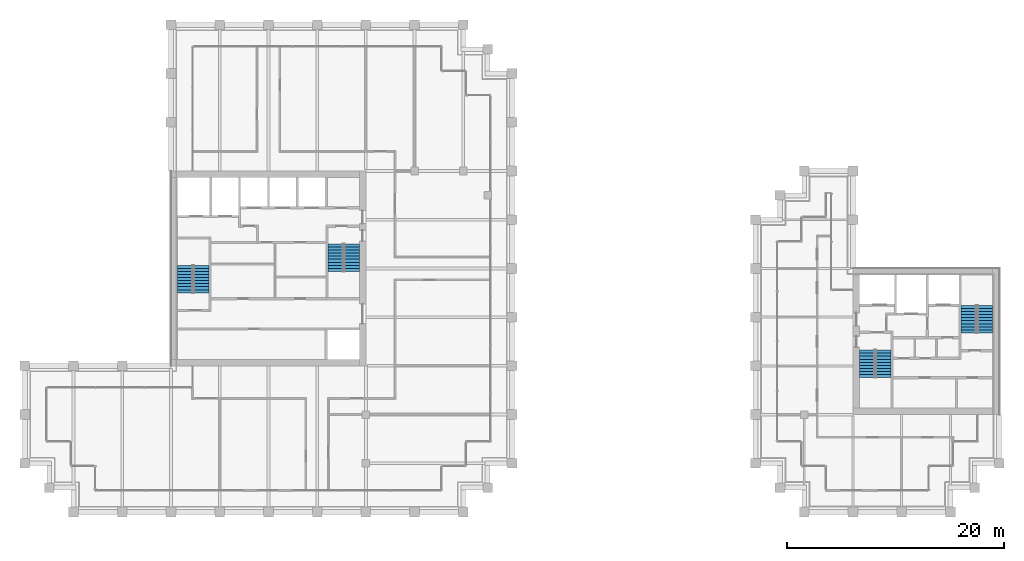
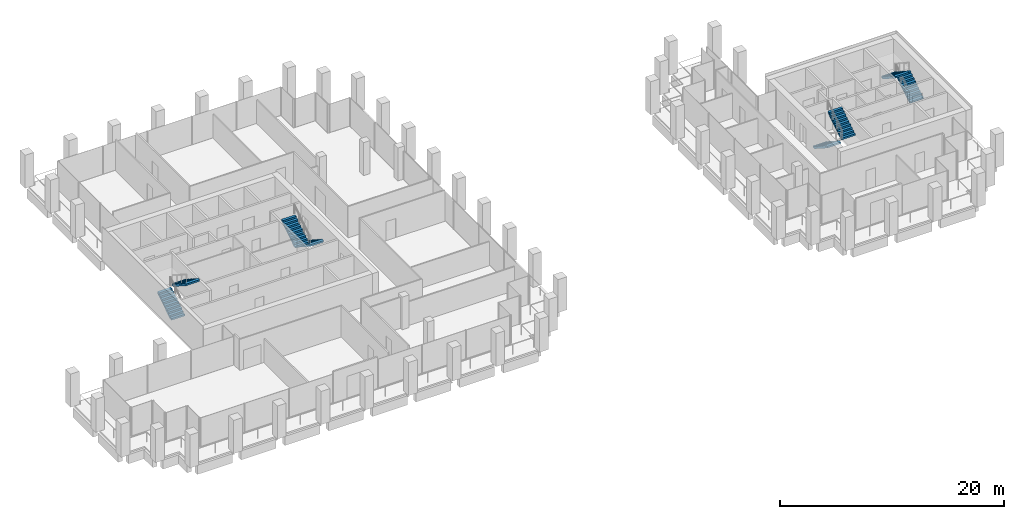
# One storey, part 39 of 40: 8 stair flights, 4 elements without a shape of their own.
"""IFC4 building model written with IfcOpenShell, lengths in metres."""

from ifc_helpers import new_model, si_unit, direction, frame, origin, place, context, subcontext, project, spatial, polyline, outline, extrude, material, type_object, element, aggregate, save


model = new_model("IFC4")

# Units and contexts
model_context = context("Model", 3, precision=1e-05, world=origin(), true_north=direction((0.0, 1.0)))
body_context = subcontext(model_context, "Body", "Model", "MODEL_VIEW")
ifc_project = project(units=[si_unit("LENGTHUNIT", "METRE"), si_unit("AREAUNIT", "SQUARE_METRE"), si_unit("VOLUMEUNIT", "CUBIC_METRE"), si_unit("PLANEANGLEUNIT", "RADIAN"), si_unit("MASSUNIT", "GRAM", prefix="KILO")], contexts=[model_context])

# Site, building, storey
site_placement = place(None, origin())
site = spatial("IfcSite", under=ifc_project, at=site_placement, CompositionType="ELEMENT")
building_placement = place(site_placement, origin())
building = spatial("IfcBuilding", under=site, at=building_placement, Name="Altepetl Exchange Towers", CompositionType="ELEMENT")
storey_placement = place(building_placement, frame((0.0, 0.0, 187.0)))
storey = spatial("IfcBuildingStorey", under=building, at=storey_placement, Name="L47", CompositionType="ELEMENT", Elevation=187.0)

# Stair, stair flights
ifc_material = material(Name="Concrete C40/50", Category="concrete")
stair_type = type_object("IfcStairType", Name="Exit stair 1400 flights dogleg", PredefinedType="HALF_TURN_STAIR", material=ifc_material)
stair_1_placement = place(storey_placement, origin())
stair_1 = element("IfcStair", 1, at=stair_1_placement, inside=storey, type_object=stair_type, Name="Exit stair 1", PredefinedType="HALF_TURN_STAIR")
stair_flight_type = type_object("IfcStairFlightType", Name="Stair flight 1400 wide", PredefinedType="STRAIGHT", material=ifc_material)
stair_flight_1_placement = place(storey_placement, frame((41.800048828125, 47.25, 0.0), z_axis=(0.0, 0.0, 1.0), x_axis=(0.0, 1.0, 0.0)))
stair_flight_1 = element("IfcStairFlight", 2, at=stair_flight_1_placement, type_object=stair_flight_type, Name="ST-A1e flight 1", NumberOfRisers=10, NumberOfTreads=9, PredefinedType="STRAIGHT", RiserHeight=0.18, TreadLength=0.28, context=body_context, shape_type="SweptSolid", body=[
    extrude(outline(polyline([(0.0, 0.0), (0.0, 0.179931640625), (0.280029296875, 0.179931640625), (0.280029296875, 0.360107421875), (0.56005859375, 0.360107421875), (0.56005859375, 0.5400390625), (0.840087890625, 0.5400390625), (0.840087890625, 0.719970703125), (1.1201171875, 0.719970703125), (1.1201171875, 0.89990234375), (1.39990234375, 0.89990234375), (1.39990234375, 1.080078125), (1.679931640625, 1.080078125), (1.679931640625, 1.260009765625), (1.9599609375, 1.260009765625), (1.9599609375, 1.43994140625), (2.239990234375, 1.43994140625), (2.239990234375, 1.6201171875), (2.52001953125, 1.6201171875), (2.52001953125, 1.800048828125), (2.52001953125, 1.44189453125), (0.277099609375, 0.0), (0.0, 0.0)])), frame((0.0, 0.699951171875, 0.0), z_axis=(0.0, -1.0, 0.0), x_axis=(1.0, 0.0, 0.0)), (0.0, 0.0, 1.0), 1.39990234375),
])
stair_flight_2_placement = place(storey_placement, frame((43.300048828125, 49.77001953125, 1.800048828125), z_axis=(0.0, 0.0, 1.0), x_axis=(0.0, -1.0, 0.0)))
stair_flight_2 = element("IfcStairFlight", 3, at=stair_flight_2_placement, type_object=stair_flight_type, Name="ST-A1e flight 2", NumberOfRisers=10, NumberOfTreads=9, PredefinedType="STRAIGHT", RiserHeight=0.18, TreadLength=0.28, context=body_context, shape_type="SweptSolid", body=[
    extrude(outline(polyline([(0.0, 0.0), (0.0, 0.179931640625), (0.280029296875, 0.179931640625), (0.280029296875, 0.360107421875), (0.56005859375, 0.360107421875), (0.56005859375, 0.5400390625), (0.840087890625, 0.5400390625), (0.840087890625, 0.719970703125), (1.1201171875, 0.719970703125), (1.1201171875, 0.89990234375), (1.39990234375, 0.89990234375), (1.39990234375, 1.080078125), (1.679931640625, 1.080078125), (1.679931640625, 1.260009765625), (1.9599609375, 1.260009765625), (1.9599609375, 1.43994140625), (2.239990234375, 1.43994140625), (2.239990234375, 1.6201171875), (2.52001953125, 1.6201171875), (2.52001953125, 1.800048828125), (2.52001953125, 1.44189453125), (0.277099609375, 0.0), (0.0, 0.0)])), frame((0.0, 0.699951171875, 0.0), z_axis=(0.0, -1.0, 0.0), x_axis=(1.0, 0.0, 0.0)), (0.0, 0.0, 1.0), 1.39990234375),
])
aggregate(stair_1, [stair_flight_1, stair_flight_2])

stair_2_placement = place(storey_placement, origin())
stair_2 = element("IfcStair", 4, at=stair_2_placement, inside=storey, type_object=stair_type, Name="Exit stair 2", PredefinedType="HALF_TURN_STAIR")
stair_flight_3_placement = place(storey_placement, frame((57.199951171875, 51.75, 0.0), z_axis=(0.0, 0.0, 1.0), x_axis=(0.0, -1.0, 0.0)))
stair_flight_3 = element("IfcStairFlight", 5, at=stair_flight_3_placement, type_object=stair_flight_type, Name="ST-A2e flight 1", NumberOfRisers=10, NumberOfTreads=9, PredefinedType="STRAIGHT", RiserHeight=0.18, TreadLength=0.28, context=body_context, shape_type="SweptSolid", body=[
    extrude(outline(polyline([(0.0, 0.0), (0.0, 0.179931640625), (0.280029296875, 0.179931640625), (0.280029296875, 0.360107421875), (0.56005859375, 0.360107421875), (0.56005859375, 0.5400390625), (0.840087890625, 0.5400390625), (0.840087890625, 0.719970703125), (1.1201171875, 0.719970703125), (1.1201171875, 0.89990234375), (1.39990234375, 0.89990234375), (1.39990234375, 1.080078125), (1.679931640625, 1.080078125), (1.679931640625, 1.260009765625), (1.9599609375, 1.260009765625), (1.9599609375, 1.43994140625), (2.239990234375, 1.43994140625), (2.239990234375, 1.6201171875), (2.52001953125, 1.6201171875), (2.52001953125, 1.800048828125), (2.52001953125, 1.44189453125), (0.277099609375, 0.0), (0.0, 0.0)])), frame((0.0, 0.699951171875, 0.0), z_axis=(0.0, -1.0, 0.0), x_axis=(1.0, 0.0, 0.0)), (0.0, 0.0, 1.0), 1.39990234375),
])
stair_flight_4_placement = place(storey_placement, frame((55.699951171875, 49.22998046875, 1.800048828125), z_axis=(0.0, 0.0, 1.0), x_axis=(0.0, 1.0, 0.0)))
stair_flight_4 = element("IfcStairFlight", 6, at=stair_flight_4_placement, type_object=stair_flight_type, Name="ST-A2e flight 2", NumberOfRisers=10, NumberOfTreads=9, PredefinedType="STRAIGHT", RiserHeight=0.18, TreadLength=0.28, context=body_context, shape_type="SweptSolid", body=[
    extrude(outline(polyline([(0.0, 0.0), (0.0, 0.179931640625), (0.280029296875, 0.179931640625), (0.280029296875, 0.360107421875), (0.56005859375, 0.360107421875), (0.56005859375, 0.5400390625), (0.840087890625, 0.5400390625), (0.840087890625, 0.719970703125), (1.1201171875, 0.719970703125), (1.1201171875, 0.89990234375), (1.39990234375, 0.89990234375), (1.39990234375, 1.080078125), (1.679931640625, 1.080078125), (1.679931640625, 1.260009765625), (1.9599609375, 1.260009765625), (1.9599609375, 1.43994140625), (2.239990234375, 1.43994140625), (2.239990234375, 1.6201171875), (2.52001953125, 1.6201171875), (2.52001953125, 1.800048828125), (2.52001953125, 1.44189453125), (0.277099609375, 0.0), (0.0, 0.0)])), frame((0.0, 0.699951171875, 0.0), z_axis=(0.0, -1.0, 0.0), x_axis=(1.0, 0.0, 0.0)), (0.0, 0.0, 1.0), 1.39990234375),
])
aggregate(stair_2, [stair_flight_3, stair_flight_4])

stair_3_placement = place(storey_placement, origin())
stair_3 = element("IfcStair", 7, at=stair_3_placement, inside=storey, type_object=stair_type, Name="Exit stair 1", PredefinedType="HALF_TURN_STAIR")
stair_flight_5_placement = place(storey_placement, frame((104.800048828125, 41.949951171875, 0.0), z_axis=(0.0, 0.0, 1.0), x_axis=(0.0, -1.0, 0.0)))
stair_flight_5 = element("IfcStairFlight", 8, at=stair_flight_5_placement, type_object=stair_flight_type, Name="ST-B1e flight 1", NumberOfRisers=10, NumberOfTreads=9, PredefinedType="STRAIGHT", RiserHeight=0.18, TreadLength=0.28, context=body_context, shape_type="SweptSolid", body=[
    extrude(outline(polyline([(0.0, 0.0), (0.0, 0.179931640625), (0.280029296875, 0.179931640625), (0.280029296875, 0.360107421875), (0.56005859375, 0.360107421875), (0.56005859375, 0.5400390625), (0.840087890625, 0.5400390625), (0.840087890625, 0.719970703125), (1.1201171875, 0.719970703125), (1.1201171875, 0.89990234375), (1.39990234375, 0.89990234375), (1.39990234375, 1.080078125), (1.679931640625, 1.080078125), (1.679931640625, 1.260009765625), (1.9599609375, 1.260009765625), (1.9599609375, 1.43994140625), (2.239990234375, 1.43994140625), (2.239990234375, 1.6201171875), (2.52001953125, 1.6201171875), (2.52001953125, 1.800048828125), (2.52001953125, 1.44189453125), (0.277099609375, 0.0), (0.0, 0.0)])), frame((0.0, 0.699951171875, 0.0), z_axis=(0.0, -1.0, 0.0), x_axis=(1.0, 0.0, 0.0)), (0.0, 0.0, 1.0), 1.39990234375),
])
stair_flight_6_placement = place(storey_placement, frame((106.300048828125, 39.429931640625, 1.800048828125), z_axis=(0.0, 0.0, 1.0), x_axis=(0.0, 1.0, 0.0)))
stair_flight_6 = element("IfcStairFlight", 9, at=stair_flight_6_placement, type_object=stair_flight_type, Name="ST-B1e flight 2", NumberOfRisers=10, NumberOfTreads=9, PredefinedType="STRAIGHT", RiserHeight=0.18, TreadLength=0.28, context=body_context, shape_type="SweptSolid", body=[
    extrude(outline(polyline([(0.0, 0.0), (0.0, 0.179931640625), (0.280029296875, 0.179931640625), (0.280029296875, 0.360107421875), (0.56005859375, 0.360107421875), (0.56005859375, 0.5400390625), (0.840087890625, 0.5400390625), (0.840087890625, 0.719970703125), (1.1201171875, 0.719970703125), (1.1201171875, 0.89990234375), (1.39990234375, 0.89990234375), (1.39990234375, 1.080078125), (1.679931640625, 1.080078125), (1.679931640625, 1.260009765625), (1.9599609375, 1.260009765625), (1.9599609375, 1.43994140625), (2.239990234375, 1.43994140625), (2.239990234375, 1.6201171875), (2.52001953125, 1.6201171875), (2.52001953125, 1.800048828125), (2.52001953125, 1.44189453125), (0.277099609375, 0.0), (0.0, 0.0)])), frame((0.0, 0.699951171875, 0.0), z_axis=(0.0, -1.0, 0.0), x_axis=(1.0, 0.0, 0.0)), (0.0, 0.0, 1.0), 1.39990234375),
])
aggregate(stair_3, [stair_flight_5, stair_flight_6])

stair_4_placement = place(storey_placement, origin())
stair_4 = element("IfcStair", 10, at=stair_4_placement, inside=storey, type_object=stair_type, Name="Exit stair 2", PredefinedType="HALF_TURN_STAIR")
stair_flight_7_placement = place(storey_placement, frame((115.699951171875, 43.550048828125, 0.0), z_axis=(0.0, 0.0, 1.0), x_axis=(0.0, 1.0, 0.0)))
stair_flight_7 = element("IfcStairFlight", 11, at=stair_flight_7_placement, type_object=stair_flight_type, Name="ST-B2e flight 1", NumberOfRisers=10, NumberOfTreads=9, PredefinedType="STRAIGHT", RiserHeight=0.18, TreadLength=0.28, context=body_context, shape_type="SweptSolid", body=[
    extrude(outline(polyline([(0.0, 0.0), (0.0, 0.179931640625), (0.280029296875, 0.179931640625), (0.280029296875, 0.360107421875), (0.56005859375, 0.360107421875), (0.56005859375, 0.5400390625), (0.840087890625, 0.5400390625), (0.840087890625, 0.719970703125), (1.1201171875, 0.719970703125), (1.1201171875, 0.89990234375), (1.39990234375, 0.89990234375), (1.39990234375, 1.080078125), (1.679931640625, 1.080078125), (1.679931640625, 1.260009765625), (1.9599609375, 1.260009765625), (1.9599609375, 1.43994140625), (2.239990234375, 1.43994140625), (2.239990234375, 1.6201171875), (2.52001953125, 1.6201171875), (2.52001953125, 1.800048828125), (2.52001953125, 1.44189453125), (0.277099609375, 0.0), (0.0, 0.0)])), frame((0.0, 0.699951171875, 0.0), z_axis=(0.0, -1.0, 0.0), x_axis=(1.0, 0.0, 0.0)), (0.0, 0.0, 1.0), 1.39990234375),
])
stair_flight_8_placement = place(storey_placement, frame((114.199951171875, 46.070068359375, 1.800048828125), z_axis=(0.0, 0.0, 1.0), x_axis=(0.0, -1.0, 0.0)))
stair_flight_8 = element("IfcStairFlight", 12, at=stair_flight_8_placement, type_object=stair_flight_type, Name="ST-B2e flight 2", NumberOfRisers=10, NumberOfTreads=9, PredefinedType="STRAIGHT", RiserHeight=0.18, TreadLength=0.28, context=body_context, shape_type="SweptSolid", body=[
    extrude(outline(polyline([(0.0, 0.0), (0.0, 0.179931640625), (0.280029296875, 0.179931640625), (0.280029296875, 0.360107421875), (0.56005859375, 0.360107421875), (0.56005859375, 0.5400390625), (0.840087890625, 0.5400390625), (0.840087890625, 0.719970703125), (1.1201171875, 0.719970703125), (1.1201171875, 0.89990234375), (1.39990234375, 0.89990234375), (1.39990234375, 1.080078125), (1.679931640625, 1.080078125), (1.679931640625, 1.260009765625), (1.9599609375, 1.260009765625), (1.9599609375, 1.43994140625), (2.239990234375, 1.43994140625), (2.239990234375, 1.6201171875), (2.52001953125, 1.6201171875), (2.52001953125, 1.800048828125), (2.52001953125, 1.44189453125), (0.277099609375, 0.0), (0.0, 0.0)])), frame((0.0, 0.699951171875, 0.0), z_axis=(0.0, -1.0, 0.0), x_axis=(1.0, 0.0, 0.0)), (0.0, 0.0, 1.0), 1.39990234375),
])
aggregate(stair_4, [stair_flight_7, stair_flight_8])

save(model, "model.ifc")
